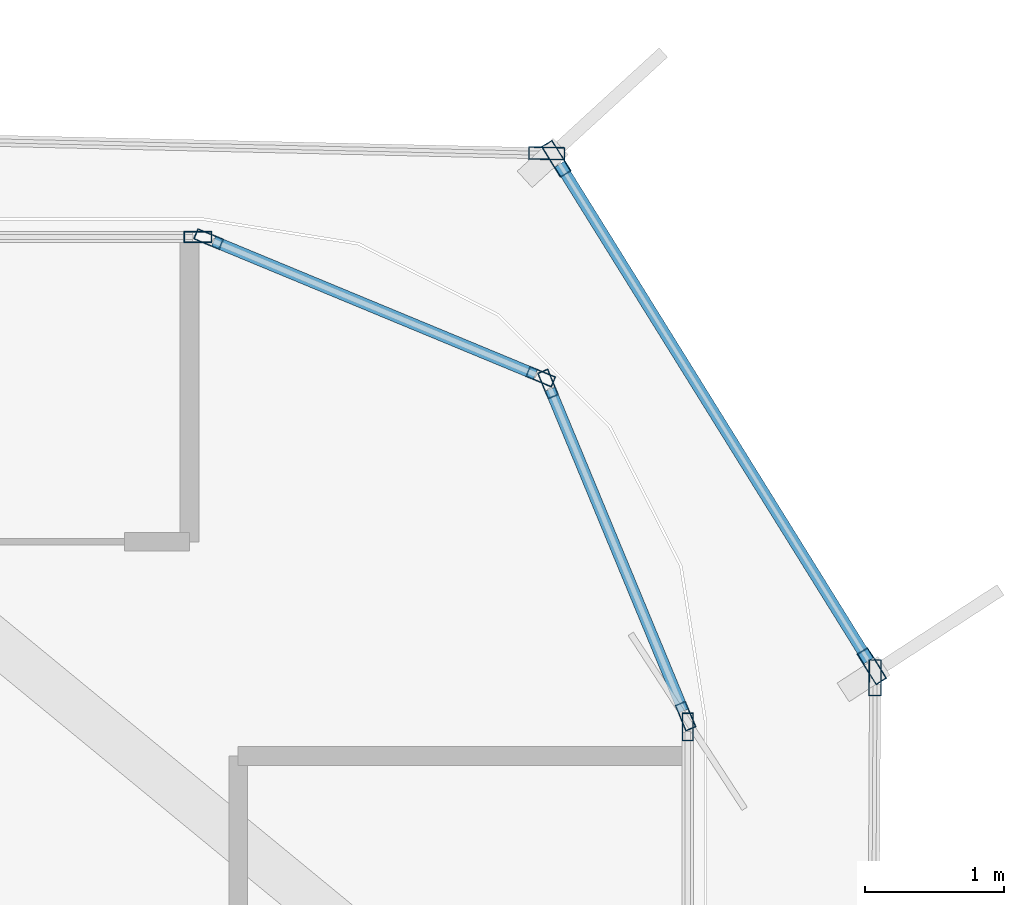
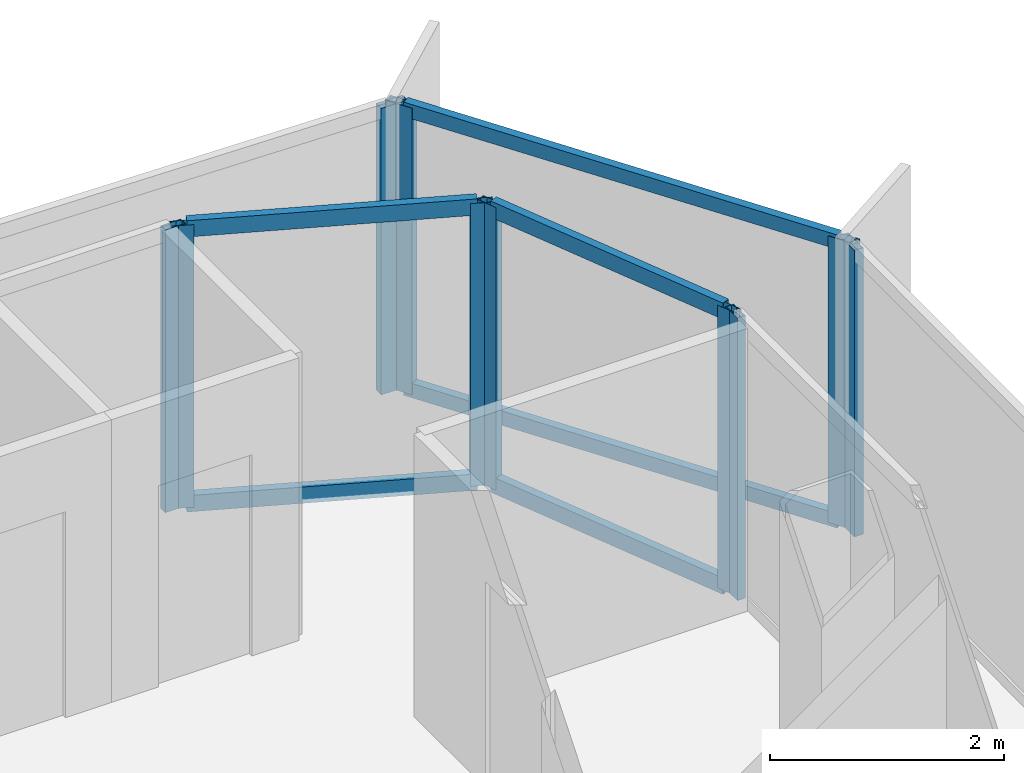
# One storey, part 8 of 16: 16 members, 7 elements without a shape of their own.
"""IFC4 building model written with IfcOpenShell, lengths in metres."""

from ifc_helpers import new_model, si_unit, direction, frame, origin, origin_2d, place, context, subcontext, project, spatial, hollow_rectangle, extrude, source, transform, mapped, material, layer, layer_set, material_profile, profile_set, type_object, element, aggregate, save


model = new_model("IFC4")

# Units and contexts
model_context = context("Model", 3, precision=1e-05, world=origin(), true_north=direction((0.0, 1.0)))
body_context = subcontext(model_context, "Body", "Model", "MODEL_VIEW")
ifc_project = project(units=[si_unit("LENGTHUNIT", "METRE"), si_unit("AREAUNIT", "SQUARE_METRE"), si_unit("VOLUMEUNIT", "CUBIC_METRE"), si_unit("PLANEANGLEUNIT", "RADIAN"), si_unit("MASSUNIT", "GRAM", prefix="KILO")], contexts=[model_context])

# Site, building, storey
site_placement = place(None, origin())
site = spatial("IfcSite", under=ifc_project, at=site_placement, CompositionType="ELEMENT")
building_placement = place(site_placement, origin())
building = spatial("IfcBuilding", under=site, at=building_placement, Name="Kolveth Station Tower", CompositionType="ELEMENT")
storey_placement = place(building_placement, frame((0.0, 0.0, 162.5)))
storey = spatial("IfcBuildingStorey", under=building, at=storey_placement, Name="L45", CompositionType="ELEMENT", Elevation=162.5)

# Curtain wall, member
ifc_material_1 = material(Name="Aluminium 6063-T6 and low-E dark glass", Category="aluminium")
ifc_layer_1 = layer(ifc_material_1, 0.18994140625)
ifc_layer_set_1 = layer_set([ifc_layer_1], Name="Aluminium 6063-T6 and low-E dark glass")
curtain_wall_type_1 = type_object("IfcCurtainWallType", Name="CurtainWall_CW-Z2", PredefinedType="NOTDEFINED", material=ifc_layer_set_1)
curtain_wall_1_placement = place(storey_placement, origin())
curtain_wall_1 = element("IfcCurtainWall", 1, at=curtain_wall_1_placement, inside=storey, type_object=curtain_wall_type_1, Name="L45 Inner Thermal Curtain Wall 3", PredefinedType="NOTDEFINED")
ifc_material_2 = material(Name="Black anodized aluminium 6063-T6", Category="aluminium")
ifc_material_profile_1 = material_profile(ifc_material_2, hollow_rectangle(XDim=0.080078125, YDim=0.199951171875, WallThickness=0.0048828125, at=origin_2d()), Name="ALU-80x200x5")
ifc_profile_set_1 = profile_set([ifc_material_profile_1], Name="Black anodized aluminium 6063-T6")
member_type_1 = type_object("IfcMemberType", Name="Mullion_ML2", PredefinedType="MULLION", material=ifc_profile_set_1)
shared_shape_1 = source(origin(), body_context, "Body", "SweptSolid", [
    extrude(hollow_rectangle(XDim=0.080078125, YDim=0.199951171875, WallThickness=0.0048828125, at=origin_2d()), origin(), (0.0, 0.0, 1.0), 2.949951171875),
])
member_1_placement = place(storey_placement, frame((41.679931640625, 31.659912109375, 0.0), z_axis=(0.0, 0.0, 1.0), x_axis=(-1.0, 0.0, 0.0)))
member_1 = element("IfcMember", 2, at=member_1_placement, type_object=member_type_1, Name="CW-Z2 mullion 2", PredefinedType="MULLION", context=body_context, shape_type="MappedRepresentation", body=[
    mapped(shared_shape_1, transform((0.0, 0.0, 0.0), x_axis=(1.0, 0.0, 0.0), y_axis=(0.0, 1.0, 0.0), z_axis=(0.0, 0.0, 1.0), scale=1.0)),
])
aggregate(curtain_wall_1, [member_1])

# Curtain wall, members
curtain_wall_2_placement = place(storey_placement, origin())
curtain_wall_2 = element("IfcCurtainWall", 3, at=curtain_wall_2_placement, inside=storey, type_object=curtain_wall_type_1, Name="L45 Inner Thermal Curtain Wall 4", PredefinedType="NOTDEFINED")
member_2_placement = place(storey_placement, frame((41.664794921875, 31.737060546875, 0.0), z_axis=(0.0, 0.0, 1.0), x_axis=(-0.923873600544, -0.382697753087, 0.0)))
member_2 = element("IfcMember", 4, at=member_2_placement, type_object=member_type_1, Name="CW-Z2 mullion 1", PredefinedType="MULLION", context=body_context, shape_type="MappedRepresentation", body=[
    mapped(shared_shape_1, transform((0.0, 0.0, 0.0), x_axis=(1.0, 0.0, 0.0), y_axis=(0.0, 1.0, 0.0), z_axis=(0.0, 0.0, 1.0), scale=1.0)),
])
member_3_placement = place(storey_placement, frame((40.676025390625, 34.123779296875, 0.0), z_axis=(0.0, 0.0, 1.0), x_axis=(-0.923873600544, -0.382697753087, 0.0)))
member_3 = element("IfcMember", 5, at=member_3_placement, type_object=member_type_1, Name="CW-Z2 mullion 2", PredefinedType="MULLION", context=body_context, shape_type="MappedRepresentation", body=[
    mapped(shared_shape_1, transform((0.0, 0.0, 0.0), x_axis=(1.0, 0.0, 0.0), y_axis=(0.0, 1.0, 0.0), z_axis=(0.0, 0.0, 1.0), scale=1.0)),
])

curtain_wall_3_placement = place(storey_placement, origin())
curtain_wall_3 = element("IfcCurtainWall", 6, at=curtain_wall_3_placement, inside=storey, type_object=curtain_wall_type_1, Name="L45 Inner Thermal Curtain Wall 5", PredefinedType="NOTDEFINED")
member_4_placement = place(storey_placement, frame((40.623779296875, 34.176025390625, 0.0), z_axis=(0.0, 0.0, 1.0), x_axis=(-0.382697753087, -0.923873600544, 0.0)))
member_4 = element("IfcMember", 7, at=member_4_placement, type_object=member_type_1, Name="CW-Z2 mullion 1", PredefinedType="MULLION", context=body_context, shape_type="MappedRepresentation", body=[
    mapped(shared_shape_1, transform((0.0, 0.0, 0.0), x_axis=(1.0, 0.0, 0.0), y_axis=(0.0, 1.0, 0.0), z_axis=(0.0, 0.0, 1.0), scale=1.0)),
])
member_5_placement = place(storey_placement, frame((38.237060546875, 35.164794921875, 0.0), z_axis=(0.0, 0.0, 1.0), x_axis=(-0.382697753087, -0.923873600544, 0.0)))
member_5 = element("IfcMember", 8, at=member_5_placement, type_object=member_type_1, Name="CW-Z2 mullion 2", PredefinedType="MULLION", context=body_context, shape_type="MappedRepresentation", body=[
    mapped(shared_shape_1, transform((0.0, 0.0, 0.0), x_axis=(1.0, 0.0, 0.0), y_axis=(0.0, 1.0, 0.0), z_axis=(0.0, 0.0, 1.0), scale=1.0)),
])

# Curtain wall, member
curtain_wall_4_placement = place(storey_placement, origin())
curtain_wall_4 = element("IfcCurtainWall", 9, at=curtain_wall_4_placement, inside=storey, type_object=curtain_wall_type_1, Name="L45 Inner Thermal Curtain Wall 6", PredefinedType="NOTDEFINED")
member_6_placement = place(storey_placement, frame((38.159912109375, 35.179931640625, 0.0), z_axis=(0.0, 0.0, 1.0), x_axis=(0.0, -1.0, 0.0)))
member_6 = element("IfcMember", 10, at=member_6_placement, type_object=member_type_1, Name="CW-Z2 mullion 1", PredefinedType="MULLION", context=body_context, shape_type="MappedRepresentation", body=[
    mapped(shared_shape_1, transform((0.0, 0.0, 0.0), x_axis=(1.0, 0.0, 0.0), y_axis=(0.0, 1.0, 0.0), z_axis=(0.0, 0.0, 1.0), scale=1.0)),
])
aggregate(curtain_wall_4, [member_6])

ifc_material_3 = material(Name="Black anodized aluminium 6063-T6 and dark solar glass", Category="aluminium")
ifc_layer_2 = layer(ifc_material_3, 0.159912109375)
ifc_layer_set_2 = layer_set([ifc_layer_2], Name="Black anodized aluminium 6063-T6 and dark solar glass")
curtain_wall_type_2 = type_object("IfcCurtainWallType", Name="OUTER SKIN CW-OS", PredefinedType="NOTDEFINED", material=ifc_layer_set_2)
curtain_wall_5_placement = place(storey_placement, origin())
curtain_wall_5 = element("IfcCurtainWall", 11, at=curtain_wall_5_placement, inside=storey, type_object=curtain_wall_type_2, Name="L45 Outer Ventilated Skin Curtain Wall 2", PredefinedType="NOTDEFINED")
ifc_material_profile_2 = material_profile(ifc_material_2, hollow_rectangle(XDim=0.090087890625, YDim=0.260009765625, WallThickness=0.0048828125, at=origin_2d()), Name="ALU-90x260x5")
ifc_profile_set_2 = profile_set([ifc_material_profile_2], Name="Black anodized aluminium 6063-T6")
member_type_2 = type_object("IfcMemberType", Name="FIN MULLION ML-OS", PredefinedType="MULLION", material=ifc_profile_set_2)
shared_shape_2 = source(origin(), body_context, "Body", "SweptSolid", [
    extrude(hollow_rectangle(XDim=0.090087890625, YDim=0.260009765625, WallThickness=0.0048828125, at=origin_2d()), origin(), (0.0, 0.0, 1.0), 2.989990234375),
])
member_7_placement = place(storey_placement, frame((43.0263671875, 32.012451171875, 0.0), z_axis=(0.0, 0.0, 1.0), x_axis=(-0.999985481956, 0.005388494921, 0.0)))
member_7 = element("IfcMember", 12, at=member_7_placement, type_object=member_type_2, Name="CW-OS mullion 2", PredefinedType="MULLION", context=body_context, shape_type="MappedRepresentation", body=[
    mapped(shared_shape_2, transform((0.0, 0.0, 0.0), x_axis=(1.0, 0.0, 0.0), y_axis=(0.0, 1.0, 0.0), z_axis=(0.0, 0.0, 1.0), scale=1.0)),
])
aggregate(curtain_wall_5, [member_7])

# Curtain wall, members
curtain_wall_6_placement = place(storey_placement, origin())
curtain_wall_6 = element("IfcCurtainWall", 13, at=curtain_wall_6_placement, inside=storey, type_object=curtain_wall_type_2, Name="L45 Outer Ventilated Skin Curtain Wall 3", PredefinedType="NOTDEFINED")
member_8_placement = place(storey_placement, frame((43.0029296875, 32.095703125, 0.0), z_axis=(0.0, 0.0, 1.0), x_axis=(-0.849183018932, -0.528098665362, 0.0)))
member_8 = element("IfcMember", 14, at=member_8_placement, type_object=member_type_2, Name="CW-OS mullion 1", PredefinedType="MULLION", context=body_context, shape_type="MappedRepresentation", body=[
    mapped(shared_shape_2, transform((0.0, 0.0, 0.0), x_axis=(1.0, 0.0, 0.0), y_axis=(0.0, 1.0, 0.0), z_axis=(0.0, 0.0, 1.0), scale=1.0)),
])
member_9_placement = place(storey_placement, frame((40.735595703125, 35.741455078125, 0.0), z_axis=(0.0, 0.0, 1.0), x_axis=(-0.849183018932, -0.528098665362, 0.0)))
member_9 = element("IfcMember", 15, at=member_9_placement, type_object=member_type_2, Name="CW-OS mullion 2", PredefinedType="MULLION", context=body_context, shape_type="MappedRepresentation", body=[
    mapped(shared_shape_2, transform((0.0, 0.0, 0.0), x_axis=(1.0, 0.0, 0.0), y_axis=(0.0, 1.0, 0.0), z_axis=(0.0, 0.0, 1.0), scale=1.0)),
])

# Curtain wall, member
curtain_wall_7_placement = place(storey_placement, origin())
curtain_wall_7 = element("IfcCurtainWall", 16, at=curtain_wall_7_placement, inside=storey, type_object=curtain_wall_type_2, Name="L45 Outer Ventilated Skin Curtain Wall 4", PredefinedType="NOTDEFINED")
member_10_placement = place(storey_placement, frame((40.6669921875, 35.780517578125, 0.0), z_axis=(0.0, 0.0, 1.0), x_axis=(-0.022723038218, -0.999741798433, 0.0)))
member_10 = element("IfcMember", 17, at=member_10_placement, type_object=member_type_2, Name="CW-OS mullion 1", PredefinedType="MULLION", context=body_context, shape_type="MappedRepresentation", body=[
    mapped(shared_shape_2, transform((0.0, 0.0, 0.0), x_axis=(1.0, 0.0, 0.0), y_axis=(0.0, 1.0, 0.0), z_axis=(0.0, 0.0, 1.0), scale=1.0)),
])
aggregate(curtain_wall_7, [member_10])

# Member
ifc_material_profile_3 = material_profile(ifc_material_2, hollow_rectangle(XDim=0.080078125, YDim=0.169921875, WallThickness=0.0048828125, at=origin_2d()), Name="ALU-80x170x5")
ifc_profile_set_3 = profile_set([ifc_material_profile_3], Name="Black anodized aluminium 6063-T6")
member_type_3 = type_object("IfcMemberType", Name="Transom_TR2", PredefinedType="USERDEFINED", material=ifc_profile_set_3)
shared_shape_3 = source(origin(), body_context, "Body", "SweptSolid", [
    extrude(hollow_rectangle(XDim=0.080078125, YDim=0.169921875, WallThickness=0.0048828125, at=origin_2d()), origin(), (0.0, 0.0, 1.0), 2.50341796875),
])
member_11_placement = place(storey_placement, frame((41.6494140625, 31.77392578125, 0.0400390625), z_axis=(-0.382696328882, 0.923874190494, 0.0), x_axis=(-0.923874190494, -0.382696328882, 0.0)))
member_11 = element("IfcMember", 18, at=member_11_placement, type_object=member_type_3, Name="CW-Z2 transom 1.1", ObjectType="TRANSOM", PredefinedType="USERDEFINED", context=body_context, shape_type="MappedRepresentation", body=[
    mapped(shared_shape_3, transform((0.0, 0.0, 0.0), x_axis=(1.0, 0.0, 0.0), y_axis=(0.0, 1.0, 0.0), z_axis=(0.0, 0.0, 1.0), scale=1.0)),
])

member_12_placement = place(storey_placement, frame((41.6494140625, 31.77392578125, 2.909912109375), z_axis=(-0.382696328882, 0.923874190494, 0.0), x_axis=(-0.923874190494, -0.382696328882, 0.0)))
member_12 = element("IfcMember", 19, at=member_12_placement, type_object=member_type_3, Name="CW-Z2 transom 1.2", ObjectType="TRANSOM", PredefinedType="USERDEFINED", context=body_context, shape_type="MappedRepresentation", body=[
    mapped(shared_shape_3, transform((0.0, 0.0, 0.0), x_axis=(1.0, 0.0, 0.0), y_axis=(0.0, 1.0, 0.0), z_axis=(0.0, 0.0, 1.0), scale=1.0)),
])

aggregate(curtain_wall_2, [member_2, member_3, member_11, member_12])

member_13_placement = place(storey_placement, frame((40.586669921875, 34.19140625, 0.0400390625), z_axis=(-0.923874190494, 0.382696328882, 0.0), x_axis=(-0.382696328882, -0.923874190494, 0.0)))
member_13 = element("IfcMember", 20, at=member_13_placement, type_object=member_type_3, Name="CW-Z2 transom 1.1", ObjectType="TRANSOM", PredefinedType="USERDEFINED", context=body_context, shape_type="MappedRepresentation", body=[
    mapped(shared_shape_3, transform((0.0, 0.0, 0.0), x_axis=(1.0, 0.0, 0.0), y_axis=(0.0, 1.0, 0.0), z_axis=(0.0, 0.0, 1.0), scale=1.0)),
])

member_14_placement = place(storey_placement, frame((40.586669921875, 34.19140625, 2.909912109375), z_axis=(-0.923874190494, 0.382696328882, 0.0), x_axis=(-0.382696328882, -0.923874190494, 0.0)))
member_14 = element("IfcMember", 21, at=member_14_placement, type_object=member_type_3, Name="CW-Z2 transom 1.2", ObjectType="TRANSOM", PredefinedType="USERDEFINED", context=body_context, shape_type="MappedRepresentation", body=[
    mapped(shared_shape_3, transform((0.0, 0.0, 0.0), x_axis=(1.0, 0.0, 0.0), y_axis=(0.0, 1.0, 0.0), z_axis=(0.0, 0.0, 1.0), scale=1.0)),
])

aggregate(curtain_wall_3, [member_4, member_5, member_13, member_14])

ifc_material_profile_4 = material_profile(ifc_material_2, hollow_rectangle(XDim=0.080078125, YDim=0.14990234375, WallThickness=0.0048828125, at=origin_2d()), Name="ALU-80x150x5")
ifc_profile_set_4 = profile_set([ifc_material_profile_4], Name="Black anodized aluminium 6063-T6")
member_type_4 = type_object("IfcMemberType", Name="Transom_TR-OS", PredefinedType="USERDEFINED", material=ifc_profile_set_4)
shared_shape_4 = source(origin(), body_context, "Body", "SweptSolid", [
    extrude(hollow_rectangle(XDim=0.080078125, YDim=0.14990234375, WallThickness=0.0048828125, at=origin_2d()), origin(), (0.0, 0.0, 1.0), 4.203369140625),
])
member_15_placement = place(storey_placement, frame((42.979248046875, 32.1337890625, 0.0400390625), z_axis=(-0.528097162001, 0.849183953856, 0.0), x_axis=(-0.849183953856, -0.528097162001, 0.0)))
member_15 = element("IfcMember", 22, at=member_15_placement, type_object=member_type_4, Name="CW-OS transom 1.1", ObjectType="TRANSOM", PredefinedType="USERDEFINED", context=body_context, shape_type="MappedRepresentation", body=[
    mapped(shared_shape_4, transform((0.0, 0.0, 0.0), x_axis=(1.0, 0.0, 0.0), y_axis=(0.0, 1.0, 0.0), z_axis=(0.0, 0.0, 1.0), scale=1.0)),
])

member_16_placement = place(storey_placement, frame((42.979248046875, 32.1337890625, 2.949951171875), z_axis=(-0.528097162001, 0.849183953856, 0.0), x_axis=(-0.849183953856, -0.528097162001, 0.0)))
member_16 = element("IfcMember", 23, at=member_16_placement, type_object=member_type_4, Name="CW-OS transom 1.2", ObjectType="TRANSOM", PredefinedType="USERDEFINED", context=body_context, shape_type="MappedRepresentation", body=[
    mapped(shared_shape_4, transform((0.0, 0.0, 0.0), x_axis=(1.0, 0.0, 0.0), y_axis=(0.0, 1.0, 0.0), z_axis=(0.0, 0.0, 1.0), scale=1.0)),
])

aggregate(curtain_wall_6, [member_8, member_9, member_15, member_16])

save(model, "model.ifc")
